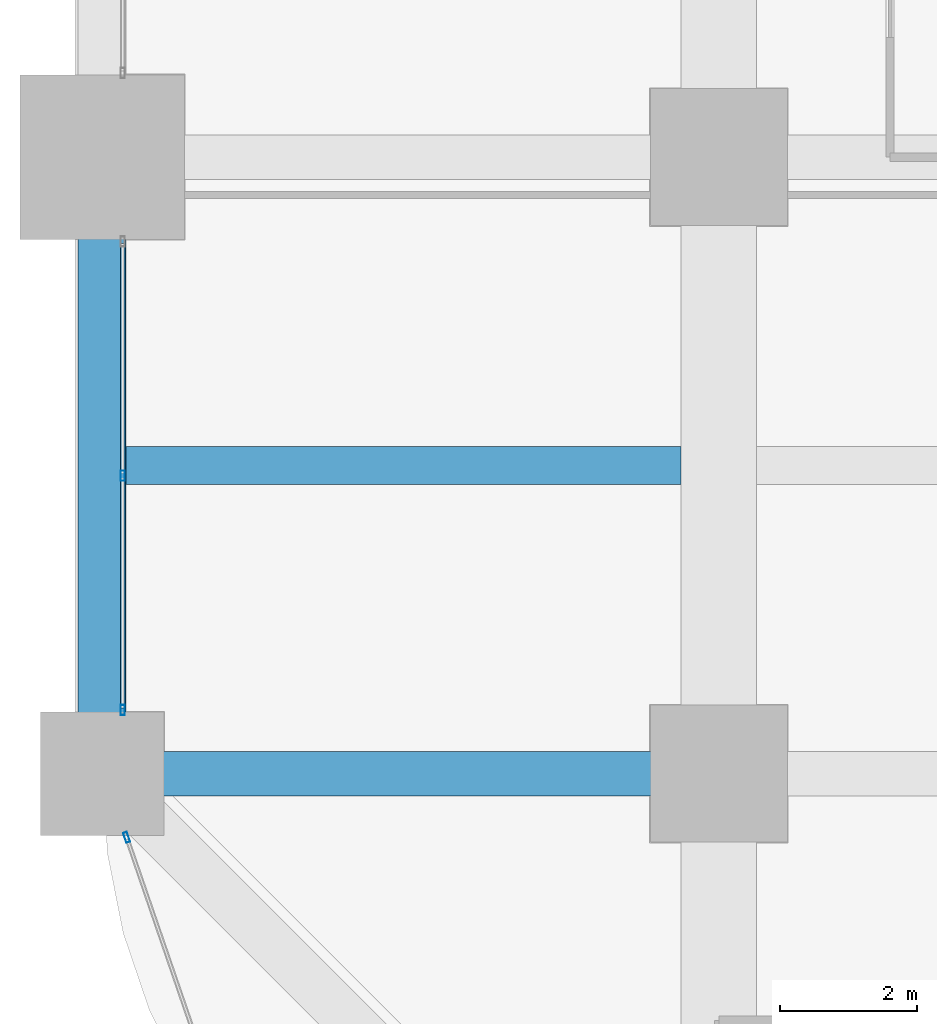
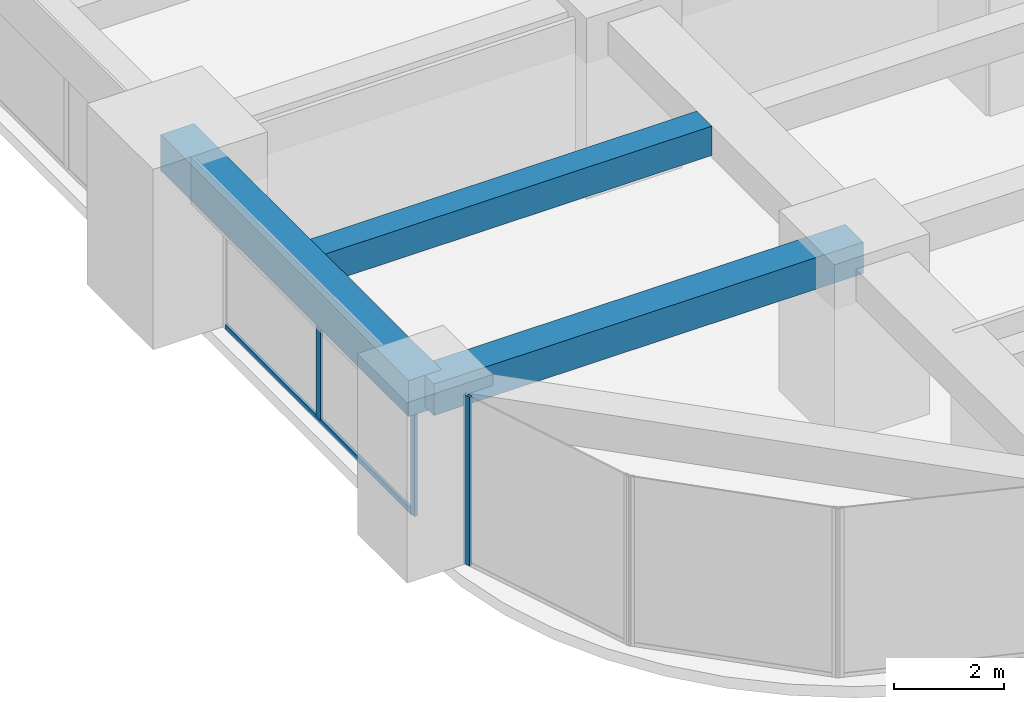
# One storey, part 4 of 41: 4 members, 3 beams, 2 elements without a shape of their own.
"""IFC4 building model written with IfcOpenShell, lengths in metres."""

from ifc_helpers import new_model, si_unit, direction, frame, origin, origin_2d, place, context, subcontext, project, spatial, rectangle, hollow_rectangle, extrude, material, material_profile, profile_set, type_object, element, aggregate, save


model = new_model("IFC4")

# Units and contexts
model_context = context("Model", 3, precision=1e-05, world=origin(), true_north=direction((0.0, 1.0)))
body_context = subcontext(model_context, "Body", "Model", "MODEL_VIEW")
ifc_project = project(units=[si_unit("LENGTHUNIT", "METRE"), si_unit("AREAUNIT", "SQUARE_METRE"), si_unit("VOLUMEUNIT", "CUBIC_METRE"), si_unit("PLANEANGLEUNIT", "RADIAN"), si_unit("MASSUNIT", "GRAM", prefix="KILO")], contexts=[model_context])

# Site, building, storey
site_placement = place(None, origin())
site = spatial("IfcSite", under=ifc_project, at=site_placement, CompositionType="ELEMENT")
building_placement = place(site_placement, origin())
building = spatial("IfcBuilding", under=site, at=building_placement, Name="Zorevar Civic Tower", CompositionType="ELEMENT")
storey_placement = place(building_placement, frame((0.0, 0.0, 97.0)))
storey = spatial("IfcBuildingStorey", under=building, at=storey_placement, Name="L23", CompositionType="ELEMENT", Elevation=97.0)

# Beams
ifc_material_1 = material(Name="Concrete C50/60", Category="concrete")
ifc_material_profile_1 = material_profile(ifc_material_1, rectangle(XDim=0.550048828125, YDim=0.64990234375, at=origin_2d()), Name="RC 550x650")
ifc_profile_set_1 = profile_set([ifc_material_profile_1], Name="Concrete C50/60")
beam_type_1 = type_object("IfcBeamType", Name="Beam RC 550x650", PredefinedType="BEAM", material=ifc_profile_set_1)
beam_1_placement = place(storey_placement, frame((0.35009765625, 13.5, 3.425048828125), z_axis=(1.0, 0.0, 0.0), x_axis=(0.0, 1.0, 0.0)))
element("IfcBeam", 1, at=beam_1_placement, inside=storey, type_object=beam_type_1, Name="Secondary beam L24", PredefinedType="BEAM", context=body_context, shape_type="SweptSolid", body=[
    extrude(rectangle(XDim=0.550048828125, YDim=0.64990234375, at=origin_2d()), origin(), (0.0, 0.0, 1.0), 8.099853515625),
])
ifc_material_2 = material(Name="Concrete C50/60", Category="concrete")
ifc_material_profile_2 = material_profile(ifc_material_2, rectangle(XDim=0.64990234375, YDim=0.699951171875, at=origin_2d()), Name="RC 650x700")
ifc_profile_set_2 = profile_set([ifc_material_profile_2], Name="Concrete C50/60")
beam_type_2 = type_object("IfcBeamType", Name="Beam RC 650x700", PredefinedType="BEAM", material=ifc_profile_set_2)
beam_2_placement = place(storey_placement, frame((0.0, 9.0, 3.39990234375), z_axis=(1.0, 0.0, 0.0), x_axis=(0.0, 1.0, 0.0)))
element("IfcBeam", 2, at=beam_2_placement, inside=storey, type_object=beam_type_2, Name="Girder L24", PredefinedType="BEAM", context=body_context, shape_type="SweptSolid", body=[
    extrude(rectangle(XDim=0.64990234375, YDim=0.699951171875, at=origin_2d()), origin(), (0.0, 0.0, 1.0), 9.0),
])

# Curtain wall, members
ifc_material_3 = material(Name="Dark grey solar-control glass in black aluminium frame", Category="aluminium")
curtain_wall_type = type_object("IfcCurtainWallType", Name="Curtain wall CW3 mid zone", PredefinedType="NOTDEFINED", material=ifc_material_3)
curtain_wall_1_placement = place(storey_placement, origin())
curtain_wall_1 = element("IfcCurtainWall", 3, at=curtain_wall_1_placement, inside=storey, type_object=curtain_wall_type, Name="CW3 L23", PredefinedType="NOTDEFINED")
ifc_material_4 = material(Name="Aluminium, black anodised", Category="aluminium")
ifc_material_profile_3 = material_profile(ifc_material_4, hollow_rectangle(XDim=0.06005859375, YDim=0.14990234375, WallThickness=0.00390625, at=origin_2d()), Name="AL 150x60x4")
ifc_profile_set_3 = profile_set([ifc_material_profile_3], Name="Aluminium, black anodised")
member_type_1 = type_object("IfcMemberType", Name="CW3 mullion AL 150x60x4", PredefinedType="MULLION", material=ifc_profile_set_3)
member_1_placement = place(storey_placement, frame((0.300048828125, 9.929931640625, 0.0), z_axis=(0.0, 0.0, 1.0), x_axis=(-1.0, 0.0, 0.0)))
member_1 = element("IfcMember", 4, at=member_1_placement, type_object=member_type_1, Name="CW3 mullion 1", PredefinedType="MULLION", context=body_context, shape_type="SweptSolid", body=[
    extrude(hollow_rectangle(XDim=0.06005859375, YDim=0.14990234375, WallThickness=0.00390625, at=origin_2d()), origin(), (0.0, 0.0, 1.0), 2.949951171875),
])
member_2_placement = place(storey_placement, frame((0.300048828125, 13.35009765625, 0.06005859375), z_axis=(0.0, 0.0, 1.0), x_axis=(-1.0, 0.0, 0.0)))
member_2 = element("IfcMember", 5, at=member_2_placement, type_object=member_type_1, Name="CW3 mullion 2", PredefinedType="MULLION", context=body_context, shape_type="SweptSolid", body=[
    extrude(hollow_rectangle(XDim=0.06005859375, YDim=0.14990234375, WallThickness=0.00390625, at=origin_2d()), origin(), (0.0, 0.0, 1.0), 2.889892578125),
])

# Curtain wall, member
curtain_wall_2_placement = place(storey_placement, origin())
curtain_wall_2 = element("IfcCurtainWall", 6, at=curtain_wall_2_placement, inside=storey, type_object=curtain_wall_type, Name="CW3 L23", PredefinedType="NOTDEFINED")
member_3_placement = place(storey_placement, frame((0.3564453125, 8.071533203125, 0.0), z_axis=(0.0, 0.0, 1.0), x_axis=(0.945755772794, 0.324878466857, 0.0)))
member_3 = element("IfcMember", 7, at=member_3_placement, type_object=member_type_1, Name="CW3 mullion 1", PredefinedType="MULLION", context=body_context, shape_type="SweptSolid", body=[
    extrude(hollow_rectangle(XDim=0.06005859375, YDim=0.14990234375, WallThickness=0.00390625, at=origin_2d()), origin(), (0.0, 0.0, 1.0), 3.75),
])
aggregate(curtain_wall_2, [member_3])

# Member
ifc_material_5 = material(Name="Aluminium, black anodised", Category="aluminium")
ifc_material_profile_4 = material_profile(ifc_material_5, hollow_rectangle(XDim=0.06005859375, YDim=0.1201171875, WallThickness=0.0029296875, at=origin_2d()), Name="AL 120x60x3")
ifc_profile_set_4 = profile_set([ifc_material_profile_4], Name="Aluminium, black anodised")
member_type_2 = type_object("IfcMemberType", Name="CW3 transom AL 120x60x3", PredefinedType="USERDEFINED", material=ifc_profile_set_4)
member_4_placement = place(storey_placement, frame((0.300048828125, 9.9599609375, 0.030029296875), z_axis=(0.0, 1.0, 0.0), x_axis=(-1.0, 0.0, 0.0)))
member_4 = element("IfcMember", 8, at=member_4_placement, type_object=member_type_2, Name="CW3 sill transom", ObjectType="TRANSOM", PredefinedType="USERDEFINED", context=body_context, shape_type="SweptSolid", body=[
    extrude(hollow_rectangle(XDim=0.06005859375, YDim=0.1201171875, WallThickness=0.0029296875, at=origin_2d()), origin(), (0.0, 0.0, 1.0), 6.780029296875),
])

aggregate(curtain_wall_1, [member_1, member_2, member_4])

# Beam
ifc_material_6 = material(Name="Concrete C50/60", Category="concrete")
ifc_material_profile_5 = material_profile(ifc_material_6, rectangle(XDim=0.699951171875, YDim=0.800048828125, at=origin_2d()), Name="RC 700x800")
ifc_profile_set_5 = profile_set([ifc_material_profile_5], Name="Concrete C50/60")
beam_type_3 = type_object("IfcBeamType", Name="Edge beam RC 700x800", PredefinedType="SPANDREL", material=ifc_profile_set_5)
beam_3_placement = place(storey_placement, frame((0.0, 9.0, 3.35009765625), z_axis=(0.0, 1.0, 0.0), x_axis=(-1.0, 0.0, 0.0)))
element("IfcBeam", 9, at=beam_3_placement, inside=storey, type_object=beam_type_3, Name="Edge beam L24", PredefinedType="SPANDREL", context=body_context, shape_type="SweptSolid", body=[
    extrude(rectangle(XDim=0.699951171875, YDim=0.800048828125, at=origin_2d()), origin(), (0.0, 0.0, 1.0), 9.0),
])

save(model, "model.ifc")
